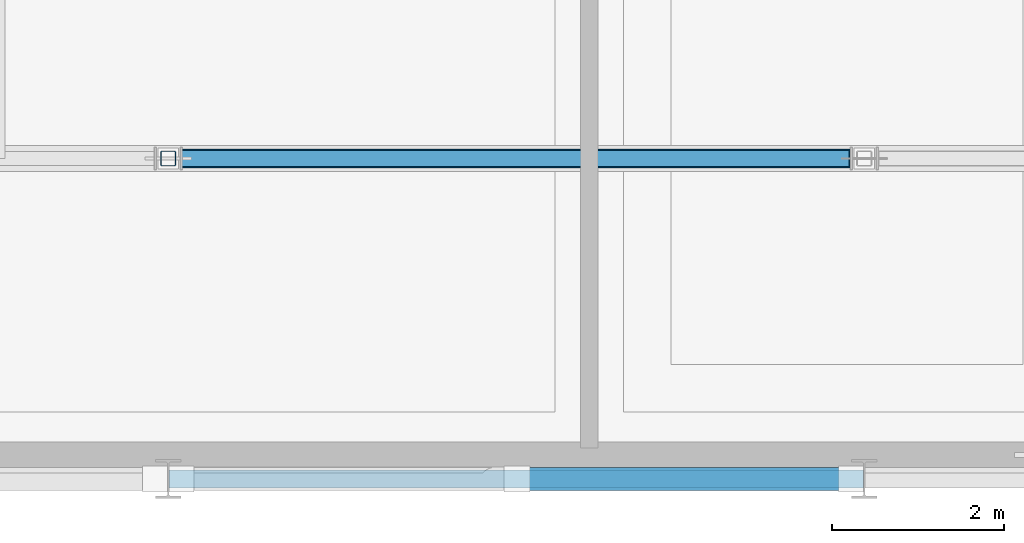
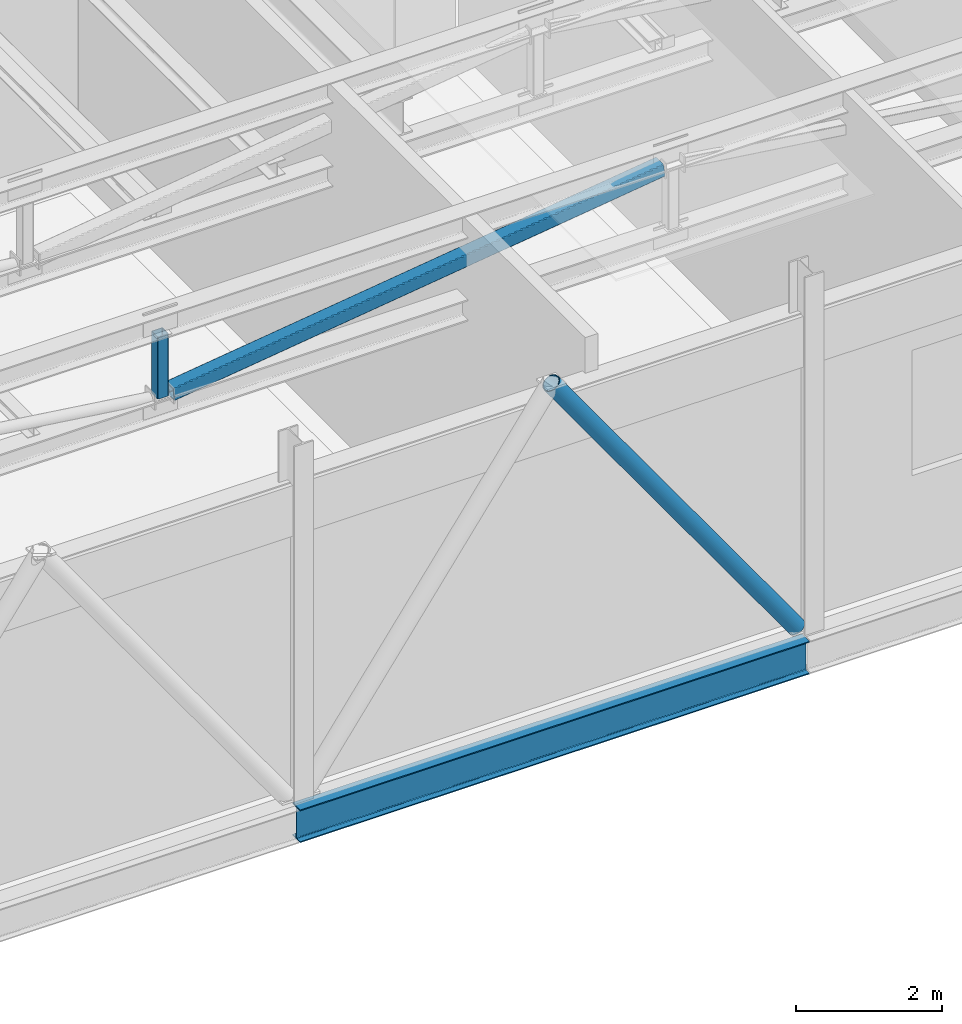
# One storey, part 4 of 21: 3 members, 1 beam.
"""IFC4 building model written with IfcOpenShell, lengths in metres."""

from ifc_helpers import new_model, si_unit, direction, frame, origin, origin_2d, place, context, subcontext, project, spatial, hollow_rectangle, hollow_circle, i_section, extrude, material, material_profile, profile_set, type_object, element, save


model = new_model("IFC4")

# Units and contexts
model_context = context("Model", 3, precision=1e-05, world=origin(), true_north=direction((0.0, 1.0)))
body_context = subcontext(model_context, "Body", "Model", "MODEL_VIEW")
ifc_project = project(units=[si_unit("LENGTHUNIT", "METRE"), si_unit("AREAUNIT", "SQUARE_METRE"), si_unit("VOLUMEUNIT", "CUBIC_METRE"), si_unit("PLANEANGLEUNIT", "RADIAN"), si_unit("MASSUNIT", "GRAM", prefix="KILO")], contexts=[model_context])

# Site, building, storey
site_placement = place(None, origin())
site = spatial("IfcSite", under=ifc_project, at=site_placement, CompositionType="ELEMENT")
building_placement = place(site_placement, origin())
building = spatial("IfcBuilding", under=site, at=building_placement, Name="Kaelora Sail Theatre", CompositionType="ELEMENT")
storey_placement = place(building_placement, frame((0.0, 0.0, 27.60009765625)))
storey = spatial("IfcBuildingStorey", under=building, at=storey_placement, Name="L06", CompositionType="ELEMENT", Elevation=27.60009765625)

# Beam
ifc_material_1 = material(Name="Steel S355", Category="steel")
ifc_material_profile_1 = material_profile(ifc_material_1, i_section(OverallWidth=0.2099609375, OverallDepth=0.550048828125, WebThickness=0.010986328125, FlangeThickness=0.01708984375, FilletRadius=0.02392578125, at=origin_2d()), Name="IPE 550")
ifc_profile_set_1 = profile_set([ifc_material_profile_1], Name="Steel S355")
beam_type = type_object("IfcBeamType", Name="STR-BM-BM-IPE550", PredefinedType="USERDEFINED", material=ifc_profile_set_1)
beam_placement = place(storey_placement, frame((42.009033203125, 61.02001953125, -0.4951171875), z_axis=(1.0, 0.0, 0.0), x_axis=(0.0, 1.0, 0.0)))
element("IfcBeam", 1, at=beam_placement, inside=storey, type_object=beam_type, Name="Primary beam I 6-7 (L06)", ObjectType="GIRDER", PredefinedType="USERDEFINED", context=body_context, shape_type="SweptSolid", body=[
    extrude(i_section(OverallWidth=0.2099609375, OverallDepth=0.550048828125, WebThickness=0.010986328125, FlangeThickness=0.01708984375, FilletRadius=0.02392578125, at=origin_2d()), origin(), (0.0, 0.0, 1.0), 8.08203125),
])

# Members
ifc_material_2 = material(Name="Steel S355", Category="steel")
ifc_material_profile_2 = material_profile(ifc_material_2, hollow_circle(Radius=0.136474609375, WallThickness=0.012451171875, at=origin_2d()), Name="CHS 273.0x12.5")
ifc_profile_set_2 = profile_set([ifc_material_profile_2], Name="Steel S355")
member_type_1 = type_object("IfcMemberType", Name="STR-MEM-BR-CHS273", PredefinedType="BRACE", material=ifc_profile_set_2)
member_1_placement = place(storey_placement, frame((49.93994140625, 61.02001953125, 0.02001953125), z_axis=(-0.58131066777, 0.0, 0.813681699153), x_axis=(0.0, -1.0, 0.0)))
element("IfcMember", 2, at=member_1_placement, inside=storey, type_object=member_type_1, Name="Fly Tower south stage-house chevron brace L06 S3-2", PredefinedType="BRACE", context=body_context, shape_type="SweptSolid", body=[
    extrude(hollow_circle(Radius=0.136474609375, WallThickness=0.012451171875, at=origin_2d()), origin(), (0.0, 0.0, 1.0), 6.691650390625),
])
ifc_material_3 = material(Name="Steel S355", Category="steel")
ifc_material_profile_3 = material_profile(ifc_material_3, hollow_rectangle(XDim=0.179931640625, YDim=0.179931640625, WallThickness=0.010009765625, InnerFilletRadius=0.010009765625, OuterFilletRadius=0.02001953125, at=origin_2d()), Name="SHS 180x180x10.0")
ifc_profile_set_3 = profile_set([ifc_material_profile_3], Name="Steel S355")
member_type_2 = type_object("IfcMemberType", Name="STR-MEM-ST-SHS180", PredefinedType="STRUT", material=ifc_profile_set_3)
member_2_placement = place(storey_placement, frame((42.0, 64.75, 4.429931640625), z_axis=(0.0, 0.0, 1.0), x_axis=(1.0, 0.0, 0.0)))
element("IfcMember", 3, at=member_2_placement, inside=storey, type_object=member_type_2, Name="TVT-01 Fly Tower truss 1 vertical strut 2", PredefinedType="STRUT", context=body_context, shape_type="SweptSolid", body=[
    extrude(hollow_rectangle(XDim=0.179931640625, YDim=0.179931640625, WallThickness=0.010009765625, InnerFilletRadius=0.010009765625, OuterFilletRadius=0.02001953125, at=origin_2d()), origin(), (0.0, 0.0, 1.0), 1.0400390625),
])
ifc_material_4 = material(Name="Steel S355", Category="steel")
ifc_material_profile_4 = material_profile(ifc_material_4, hollow_rectangle(XDim=0.219970703125, YDim=0.219970703125, WallThickness=0.012451171875, InnerFilletRadius=0.012451171875, OuterFilletRadius=0.02490234375, at=origin_2d()), Name="SHS 220x220x12.5")
ifc_profile_set_4 = profile_set([ifc_material_profile_4], Name="Steel S355")
member_type_3 = type_object("IfcMemberType", Name="STR-MEM-ST-SHS220", PredefinedType="STRUT", material=ifc_profile_set_4)
member_3_placement = place(storey_placement, frame((42.159912109375, 64.75, 4.429931640625), z_axis=(0.99118274936, 0.0, 0.132501914591), x_axis=(0.0, 1.0, 0.0)))
element("IfcMember", 4, at=member_3_placement, inside=storey, type_object=member_type_3, Name="TDG-01 Fly Tower truss 1 web diagonal 3", PredefinedType="STRUT", context=body_context, shape_type="SweptSolid", body=[
    extrude(hollow_rectangle(XDim=0.219970703125, YDim=0.219970703125, WallThickness=0.012451171875, InnerFilletRadius=0.012451171875, OuterFilletRadius=0.02490234375, at=origin_2d()), origin(), (0.0, 0.0, 1.0), 7.84912109375),
])

save(model, "model.ifc")
